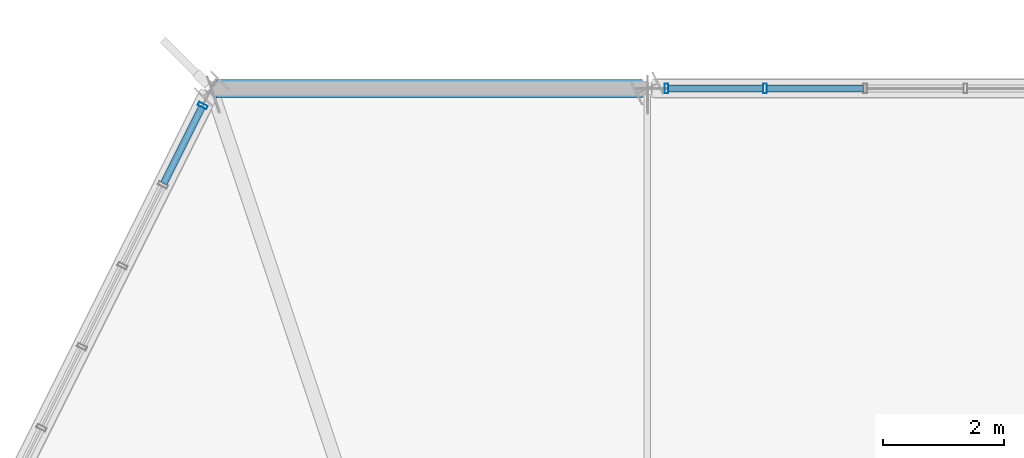
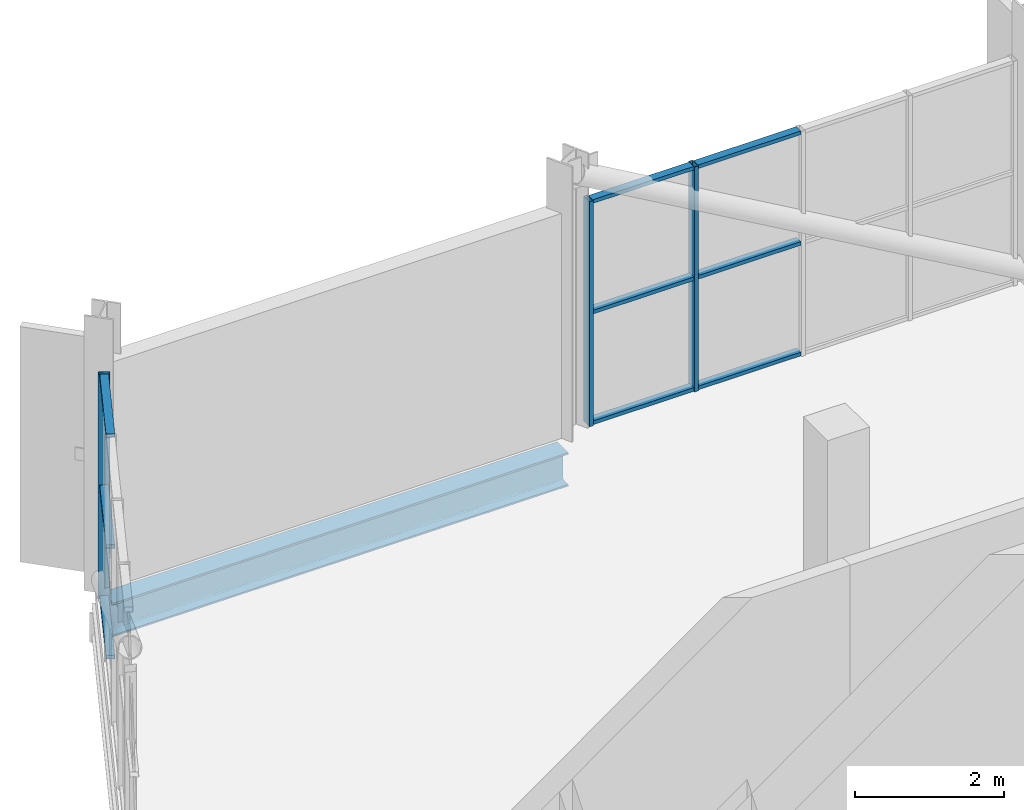
# One storey, part 14 of 22: 12 members, 1 beam, 2 elements without a shape of their own.
"""IFC4 building model written with IfcOpenShell, lengths in metres."""

import ifcopenshell
import ifcopenshell.guid

model = None  # the IFC model being written
_history = None  # IfcOwnerHistory: only IFC2X3 demands one
_inside = {}  # id of a spatial element -> (the spatial element, [elements in it])
_under = {}  # id of a project, library or spatial element -> (it, [spatial elements below it])
_declared = {}  # id of a project -> (the project, [libraries it declares])
_typed = {}  # id of a type object -> (the type object, [elements of that type])
_made_of = {}  # id of a material, layer set ... -> (it, [elements and type objects made of it])


def new_model(schema):
    """Start an empty IFC model of exactly this schema.

    Asked for "IFC4X3", IfcOpenShell would pick the latest addendum, in which some entities
    have other attributes; the version numbers below select the first issue.
    IFC2X3 requires an IfcOwnerHistory on every rooted entity: one is made here for all.
    """
    global model, _history
    if schema == "IFC4X3":
        model = ifcopenshell.file(schema_version=(4, 3, 0, 0))
    else:
        model = ifcopenshell.file(schema=schema)
    _inside.clear()
    _under.clear()
    _declared.clear()
    _typed.clear()
    _made_of.clear()
    _history = None
    if model.schema == "IFC2X3":
        org = make("IfcOrganization", Name="unknown")
        user = make(
            "IfcPersonAndOrganization",
            ThePerson=make("IfcPerson", FamilyName="unknown"),
            TheOrganization=org,
        )
        app = make(
            "IfcApplication",
            ApplicationDeveloper=org,
            Version="unknown",
            ApplicationFullName="unknown",
            ApplicationIdentifier="unknown",
        )
        _history = make(
            "IfcOwnerHistory",
            OwningUser=user,
            OwningApplication=app,
            ChangeAction="ADDED",
            CreationDate=0,
        )
    return model


def make(cls, **values):
    """One entity of the class cls with the attributes given. An attribute that is None is left unset."""
    return model.create_entity(
        cls, **{name: value for name, value in values.items() if value is not None}
    )


def rooted(cls, **values):
    """An entity with a GlobalId (a new one), such as an element, a storey or a relation."""
    return make(cls, GlobalId=ifcopenshell.guid.new(), OwnerHistory=_history, **values)


def si_unit(unit_type, name, prefix=None):
    """IfcSIUnit, for example si_unit("LENGTHUNIT", "METRE", prefix="MILLI")."""
    return make("IfcSIUnit", UnitType=unit_type, Prefix=prefix, Name=name)


def assignment(units):
    """IfcUnitAssignment: the units of a project."""
    return None if units is None else make("IfcUnitAssignment", Units=units)


def point(xyz):
    """IfcCartesianPoint."""
    return None if xyz is None else make("IfcCartesianPoint", Coordinates=xyz)


def direction(xyz):
    """IfcDirection."""
    return None if xyz is None else make("IfcDirection", DirectionRatios=xyz)


def frame(location, z_axis=None, x_axis=None):
    """IfcAxis2Placement3D, a coordinate frame: its origin and axes. An axis left out is left unset."""
    return make(
        "IfcAxis2Placement3D",
        Location=point(location),
        Axis=direction(z_axis),
        RefDirection=direction(x_axis),
    )


def frame_2d(location, x_axis=None):
    """IfcAxis2Placement2D, a coordinate frame in the plane: its origin and x axis."""
    return make(
        "IfcAxis2Placement2D", Location=point(location), RefDirection=direction(x_axis)
    )


def origin():
    """The frame at (0, 0, 0) with its axes left unset."""
    return frame((0.0, 0.0, 0.0))


def origin_2d():
    """The frame at (0, 0) in the plane with its x axis left unset."""
    return frame_2d((0.0, 0.0))


def place(relative_to, where):
    """IfcLocalPlacement: puts the frame where relative to a parent placement (None: the world)."""
    return make(
        "IfcLocalPlacement", PlacementRelTo=relative_to, RelativePlacement=where
    )


def context(
    kind, dimensions, precision=None, world=None, true_north=None, identifier=None
):
    """IfcGeometricRepresentationContext, for example the 3D "Model" context."""
    return make(
        "IfcGeometricRepresentationContext",
        ContextIdentifier=identifier,
        ContextType=kind,
        CoordinateSpaceDimension=dimensions,
        Precision=precision,
        WorldCoordinateSystem=world,
        TrueNorth=true_north,
    )


def subcontext(parent, identifier, kind, view, scale=None):
    """IfcGeometricRepresentationSubContext, for example "Body" below "Model"."""
    return make(
        "IfcGeometricRepresentationSubContext",
        ContextIdentifier=identifier,
        ContextType=kind,
        ParentContext=parent,
        TargetScale=scale,
        TargetView=view,
    )


def project(units=None, contexts=None):
    """IfcProject with its units and contexts."""
    return rooted(
        "IfcProject",
        Name="project",
        RepresentationContexts=contexts,
        UnitsInContext=assignment(units),
    )


def spatial(cls, under=None, at=None, **own):
    """A site, building, storey or space (cls), placed at a placement, below another one or the project."""
    s = rooted(cls, ObjectPlacement=at, **own)
    if under is not None:
        _under.setdefault(under.id(), (under, []))[1].append(s)
    return s


def profile(cls, at=None, kind="AREA", **sizes):
    """A parametric profile (cls). Its sizes go by their IFC names, for example OverallWidth=200.0."""
    return make(cls, ProfileType=kind, Position=at, **sizes)


def hollow_rectangle(**sizes):
    """IfcRectangleHollowProfileDef."""
    return profile("IfcRectangleHollowProfileDef", **sizes)


def i_section(**sizes):
    """IfcIShapeProfileDef."""
    return profile("IfcIShapeProfileDef", **sizes)


def extrude(swept, where, along, depth):
    """IfcExtrudedAreaSolid: the profile swept, set in the frame where, extruded along a direction by depth."""
    return make(
        "IfcExtrudedAreaSolid",
        SweptArea=swept,
        Position=where,
        ExtrudedDirection=direction(along),
        Depth=depth,
    )


def shape(context_of_items, identifier, shape_type, items):
    """IfcShapeRepresentation: the items that make up one representation, for example the "Body"."""
    return make(
        "IfcShapeRepresentation",
        ContextOfItems=context_of_items,
        RepresentationIdentifier=identifier,
        RepresentationType=shape_type,
        Items=items,
    )


def material(Name=None, Category=None):
    """IfcMaterial."""
    return make("IfcMaterial", Name=Name, Category=Category)


def layer(
    of_material, thickness, ventilated=None, Name=None, Category=None, Priority=None
):
    """IfcMaterialLayer: one layer of a wall or slab, of a material (None: an air gap)."""
    return make(
        "IfcMaterialLayer",
        Material=of_material,
        LayerThickness=thickness,
        IsVentilated=ventilated,
        Name=Name,
        Category=Category,
        Priority=Priority,
    )


def layer_set(layers, Name=None):
    """IfcMaterialLayerSet."""
    return make("IfcMaterialLayerSet", MaterialLayers=layers, LayerSetName=Name)


def material_profile(
    of_material, cross_section, Name=None, Category=None, Priority=None
):
    """IfcMaterialProfile: a cross section and its material."""
    return make(
        "IfcMaterialProfile",
        Name=Name,
        Material=of_material,
        Profile=cross_section,
        Priority=Priority,
        Category=Category,
    )


def profile_set(profiles, Name=None, composite=None):
    """IfcMaterialProfileSet."""
    return make(
        "IfcMaterialProfileSet",
        Name=Name,
        MaterialProfiles=profiles,
        CompositeProfile=composite,
    )


def made_of(thing, what):
    """Note that an element or type object is made of a material, layer set ...; save() writes the relation."""
    if what is not None:
        _made_of.setdefault(what.id(), (what, []))[1].append(thing)
    return thing


def type_object(cls, material=None, **own):
    """A type object (cls), such as IfcWallType, which elements share."""
    return made_of(rooted(cls, **own), material)


def element(
    cls,
    number,
    at=None,
    inside=None,
    cuts=None,
    type_object=None,
    material=None,
    context=None,
    identifier="Body",
    shape_type=None,
    held_by="IfcProductDefinitionShape",
    body=None,
    shapes=None,
    **own,
):
    """One element of the class cls, such as IfcWall. Its Tag is "e" and its number.

    at: its placement. inside: the storey or other place that contains it. cuts: it is an
    opening in that element (IfcRelVoidsElement). A single representation is given by context,
    identifier, shape_type and body (its items); several are given by shapes. held_by: the class
    of the entity that holds the representations. save() writes the other relations.
    """
    e = rooted(cls, Tag="e%d" % number, ObjectPlacement=at, **own)
    if body is not None:
        shapes = [shape(context, identifier, shape_type, body)]
    if shapes is not None:
        e.Representation = make(held_by, Representations=shapes)
    if inside is not None:
        _inside.setdefault(inside.id(), (inside, []))[1].append(e)
    if cuts is not None:
        rooted(
            "IfcRelVoidsElement", RelatingBuildingElement=cuts, RelatedOpeningElement=e
        )
    if type_object is not None:
        _typed.setdefault(type_object.id(), (type_object, []))[1].append(e)
    return made_of(e, material)


def aggregate(whole, parts):
    """IfcRelAggregates: a whole, such as a stair, and the parts it consists of."""
    return rooted("IfcRelAggregates", RelatingObject=whole, RelatedObjects=parts)


def save(model, path):
    """Write the relations noted so far, then the file.

    IfcRelAggregates (storeys below a building ...), IfcRelContainedInSpatialStructure (elements
    in a storey), IfcRelDefinesByType, IfcRelAssociatesMaterial and IfcRelDeclares: one each for
    every whole, place, type object, material and project.
    """
    for whole, parts in _under.values():
        aggregate(whole, parts)
    for where, things in _inside.values():
        rooted(
            "IfcRelContainedInSpatialStructure",
            RelatedElements=things,
            RelatingStructure=where,
        )
    for kind, things in _typed.values():
        rooted("IfcRelDefinesByType", RelatedObjects=things, RelatingType=kind)
    for what, things in _made_of.values():
        rooted("IfcRelAssociatesMaterial", RelatedObjects=things, RelatingMaterial=what)
    for by, libraries in _declared.values():
        rooted("IfcRelDeclares", RelatingContext=by, RelatedDefinitions=libraries)
    model.write(path)


model = new_model("IFC4")

# Units and contexts
model_context = context("Model", 3, precision=1e-05, world=origin(), true_north=direction((0.0, 1.0)))
body_context = subcontext(model_context, "Body", "Model", "MODEL_VIEW")
ifc_project = project(units=[si_unit("LENGTHUNIT", "METRE"), si_unit("AREAUNIT", "SQUARE_METRE"), si_unit("VOLUMEUNIT", "CUBIC_METRE"), si_unit("PLANEANGLEUNIT", "RADIAN"), si_unit("MASSUNIT", "GRAM", prefix="KILO")], contexts=[model_context])

# Site, building, storey
site_placement = place(None, origin())
site = spatial("IfcSite", under=ifc_project, at=site_placement, CompositionType="ELEMENT")
building_placement = place(site_placement, origin())
building = spatial("IfcBuilding", under=site, at=building_placement, Name="Solnavia Interchange Tower", CompositionType="ELEMENT")
storey_placement = place(building_placement, frame((0.0, 0.0, 308.699951171875)))
storey = spatial("IfcBuildingStorey", under=building, at=storey_placement, Name="C02", CompositionType="ELEMENT", Elevation=308.699951171875)

# Curtain wall, members
ifc_material_1 = material(Name="Aluminium Alloy 6063-T6", Category="aluminium")
ifc_layer = layer(ifc_material_1, 0.179931640625)
ifc_layer_set = layer_set([ifc_layer], Name="Aluminium Alloy 6063-T6")
curtain_wall_type = type_object("IfcCurtainWallType", Name="CurtainWall-Crown-CTW6", PredefinedType="NOTDEFINED", material=ifc_layer_set)
curtain_wall_1_placement = place(storey_placement, origin())
curtain_wall_1 = element("IfcCurtainWall", 1, at=curtain_wall_1_placement, inside=storey, type_object=curtain_wall_type, Name="CTW-C02-R05 CTW-6 curtain wall", PredefinedType="NOTDEFINED")
ifc_material_profile_1 = material_profile(ifc_material_1, hollow_rectangle(XDim=0.06005859375, YDim=0.159912109375, WallThickness=0.00390625, at=origin_2d()), Name="ALU 160x60x4")
ifc_profile_set_1 = profile_set([ifc_material_profile_1], Name="Aluminium Alloy 6063-T6")
member_type_1 = type_object("IfcMemberType", Name="CW-Mullion-CWM-6", PredefinedType="MULLION", material=ifc_profile_set_1)
member_1_placement = place(storey_placement, frame((19.9443359375, 36.0, 0.0), z_axis=(0.0, 0.0, 1.0), x_axis=(-1.0, 0.0, 0.0)))
member_1 = element("IfcMember", 2, at=member_1_placement, type_object=member_type_1, Name="CTW-6 mullion 4", PredefinedType="MULLION", context=body_context, shape_type="SweptSolid", body=[
    extrude(hollow_rectangle(XDim=0.06005859375, YDim=0.159912109375, WallThickness=0.00390625, at=origin_2d()), origin(), (0.0, 0.0, 1.0), 3.679931640625),
])
member_2_placement = place(storey_placement, frame((18.318603515625, 36.0, 0.0), z_axis=(0.0, 0.0, 1.0), x_axis=(-1.0, 0.0, 0.0)))
member_2 = element("IfcMember", 3, at=member_2_placement, type_object=member_type_1, Name="CTW-6 mullion 5", PredefinedType="MULLION", context=body_context, shape_type="SweptSolid", body=[
    extrude(hollow_rectangle(XDim=0.06005859375, YDim=0.159912109375, WallThickness=0.00390625, at=origin_2d()), origin(), (0.0, 0.0, 1.0), 3.679931640625),
])

# Curtain wall, member
curtain_wall_2_placement = place(storey_placement, origin())
curtain_wall_2 = element("IfcCurtainWall", 4, at=curtain_wall_2_placement, inside=storey, type_object=curtain_wall_type, Name="CTW-C02-R07 CTW-6 curtain wall", PredefinedType="NOTDEFINED")
member_3_placement = place(storey_placement, frame((10.657470703125, 35.715087890625, 0.0), z_axis=(0.0, 0.0, 1.0), x_axis=(-0.447213595499, -0.894427191001, 0.0)))
member_3 = element("IfcMember", 5, at=member_3_placement, type_object=member_type_1, Name="CTW-6 mullion 1", PredefinedType="MULLION", context=body_context, shape_type="SweptSolid", body=[
    extrude(hollow_rectangle(XDim=0.06005859375, YDim=0.159912109375, WallThickness=0.00390625, at=origin_2d()), origin(), (0.0, 0.0, 1.0), 3.679931640625),
])

# Member
ifc_material_profile_2 = material_profile(ifc_material_1, hollow_rectangle(XDim=0.06005859375, YDim=0.1201171875, WallThickness=0.00390625, at=origin_2d()), Name="ALU 120x60x4")
ifc_profile_set_2 = profile_set([ifc_material_profile_2], Name="Aluminium Alloy 6063-T6")
member_type_2 = type_object("IfcMemberType", Name="CW-Transom-CWT-6", PredefinedType="USERDEFINED", material=ifc_profile_set_2)
member_4_placement = place(storey_placement, frame((21.570068359375, 36.0, 0.030029296875), z_axis=(-1.0, 0.0, 0.0), x_axis=(0.0, 0.0, 1.0)))
member_4 = element("IfcMember", 6, at=member_4_placement, type_object=member_type_2, Name="CTW-6 transom 3.1", ObjectType="TRANSOM", PredefinedType="USERDEFINED", context=body_context, shape_type="SweptSolid", body=[
    extrude(hollow_rectangle(XDim=0.06005859375, YDim=0.1201171875, WallThickness=0.00390625, at=origin_2d()), origin(), (0.0, 0.0, 1.0), 1.595703125),
])

member_5_placement = place(storey_placement, frame((21.570068359375, 36.0, 1.840087890625), z_axis=(-1.0, 0.0, 0.0), x_axis=(0.0, 0.0, 1.0)))
member_5 = element("IfcMember", 7, at=member_5_placement, type_object=member_type_2, Name="CTW-6 transom 3.2", ObjectType="TRANSOM", PredefinedType="USERDEFINED", context=body_context, shape_type="SweptSolid", body=[
    extrude(hollow_rectangle(XDim=0.06005859375, YDim=0.1201171875, WallThickness=0.00390625, at=origin_2d()), origin(), (0.0, 0.0, 1.0), 1.595703125),
])

member_6_placement = place(storey_placement, frame((21.570068359375, 36.0, 3.650146484375), z_axis=(-1.0, 0.0, 0.0), x_axis=(0.0, 0.0, 1.0)))
member_6 = element("IfcMember", 8, at=member_6_placement, type_object=member_type_2, Name="CTW-6 transom 3.3", ObjectType="TRANSOM", PredefinedType="USERDEFINED", context=body_context, shape_type="SweptSolid", body=[
    extrude(hollow_rectangle(XDim=0.06005859375, YDim=0.1201171875, WallThickness=0.00390625, at=origin_2d()), origin(), (0.0, 0.0, 1.0), 1.595703125),
])

member_7_placement = place(storey_placement, frame((19.914306640625, 36.0, 0.030029296875), z_axis=(-1.0, 0.0, 0.0), x_axis=(0.0, 0.0, 1.0)))
member_7 = element("IfcMember", 9, at=member_7_placement, type_object=member_type_2, Name="CTW-6 transom 4.1", ObjectType="TRANSOM", PredefinedType="USERDEFINED", context=body_context, shape_type="SweptSolid", body=[
    extrude(hollow_rectangle(XDim=0.06005859375, YDim=0.1201171875, WallThickness=0.00390625, at=origin_2d()), origin(), (0.0, 0.0, 1.0), 1.56591796875),
])

member_8_placement = place(storey_placement, frame((19.914306640625, 36.0, 1.840087890625), z_axis=(-1.0, 0.0, 0.0), x_axis=(0.0, 0.0, 1.0)))
member_8 = element("IfcMember", 10, at=member_8_placement, type_object=member_type_2, Name="CTW-6 transom 4.2", ObjectType="TRANSOM", PredefinedType="USERDEFINED", context=body_context, shape_type="SweptSolid", body=[
    extrude(hollow_rectangle(XDim=0.06005859375, YDim=0.1201171875, WallThickness=0.00390625, at=origin_2d()), origin(), (0.0, 0.0, 1.0), 1.56591796875),
])

member_9_placement = place(storey_placement, frame((19.914306640625, 36.0, 3.650146484375), z_axis=(-1.0, 0.0, 0.0), x_axis=(0.0, 0.0, 1.0)))
member_9 = element("IfcMember", 11, at=member_9_placement, type_object=member_type_2, Name="CTW-6 transom 4.3", ObjectType="TRANSOM", PredefinedType="USERDEFINED", context=body_context, shape_type="SweptSolid", body=[
    extrude(hollow_rectangle(XDim=0.06005859375, YDim=0.1201171875, WallThickness=0.00390625, at=origin_2d()), origin(), (0.0, 0.0, 1.0), 1.56591796875),
])

aggregate(curtain_wall_1, [member_1, member_2, member_4, member_5, member_6, member_7, member_8, member_9])

member_10_placement = place(storey_placement, frame((10.644287109375, 35.688232421875, 0.030029296875), z_axis=(-0.447283129031, -0.894392420856, 0.0), x_axis=(0.0, 0.0, 1.0)))
member_10 = element("IfcMember", 12, at=member_10_placement, type_object=member_type_2, Name="CTW-6 transom 1.1", ObjectType="TRANSOM", PredefinedType="USERDEFINED", context=body_context, shape_type="SweptSolid", body=[
    extrude(hollow_rectangle(XDim=0.06005859375, YDim=0.1201171875, WallThickness=0.00390625, at=origin_2d()), origin(), (0.0, 0.0, 1.0), 1.404541015625),
])

member_11_placement = place(storey_placement, frame((10.644287109375, 35.688232421875, 1.840087890625), z_axis=(-0.447283129031, -0.894392420856, 0.0), x_axis=(0.0, 0.0, 1.0)))
member_11 = element("IfcMember", 13, at=member_11_placement, type_object=member_type_2, Name="CTW-6 transom 1.2", ObjectType="TRANSOM", PredefinedType="USERDEFINED", context=body_context, shape_type="SweptSolid", body=[
    extrude(hollow_rectangle(XDim=0.06005859375, YDim=0.1201171875, WallThickness=0.00390625, at=origin_2d()), origin(), (0.0, 0.0, 1.0), 1.404541015625),
])

member_12_placement = place(storey_placement, frame((10.644287109375, 35.688232421875, 3.650146484375), z_axis=(-0.447283129031, -0.894392420856, 0.0), x_axis=(0.0, 0.0, 1.0)))
member_12 = element("IfcMember", 14, at=member_12_placement, type_object=member_type_2, Name="CTW-6 transom 1.3", ObjectType="TRANSOM", PredefinedType="USERDEFINED", context=body_context, shape_type="SweptSolid", body=[
    extrude(hollow_rectangle(XDim=0.06005859375, YDim=0.1201171875, WallThickness=0.00390625, at=origin_2d()), origin(), (0.0, 0.0, 1.0), 1.404541015625),
])

aggregate(curtain_wall_2, [member_3, member_10, member_11, member_12])

# Beam
ifc_material_2 = material(Name="Steel S460", Category="steel")
ifc_material_profile_3 = material_profile(ifc_material_2, i_section(OverallWidth=0.300048828125, OverallDepth=0.550048828125, WebThickness=0.014892578125, FlangeThickness=0.029052734375, FilletRadius=0.027099609375, at=origin_2d()), Name="HEB 550")
ifc_profile_set_3 = profile_set([ifc_material_profile_3], Name="Steel S460")
beam_type = type_object("IfcBeamType", Name="CrownFrame-Ring-HEB550", PredefinedType="BEAM", material=ifc_profile_set_3)
beam_placement = place(storey_placement, frame((17.919921875, 36.0, -0.52490234375), z_axis=(-1.0, 0.0, 0.0), x_axis=(0.0, -1.0, 0.0)))
element("IfcBeam", 15, at=beam_placement, inside=storey, type_object=beam_type, Name="GRD-C02-CR06 CROWN FRAME outer collar ring beam", PredefinedType="BEAM", context=body_context, shape_type="SweptSolid", body=[
    extrude(i_section(OverallWidth=0.300048828125, OverallDepth=0.550048828125, WebThickness=0.014892578125, FlangeThickness=0.029052734375, FilletRadius=0.027099609375, at=origin_2d()), origin(), (0.0, 0.0, 1.0), 7.0400390625),
])

save(model, "model.ifc")
